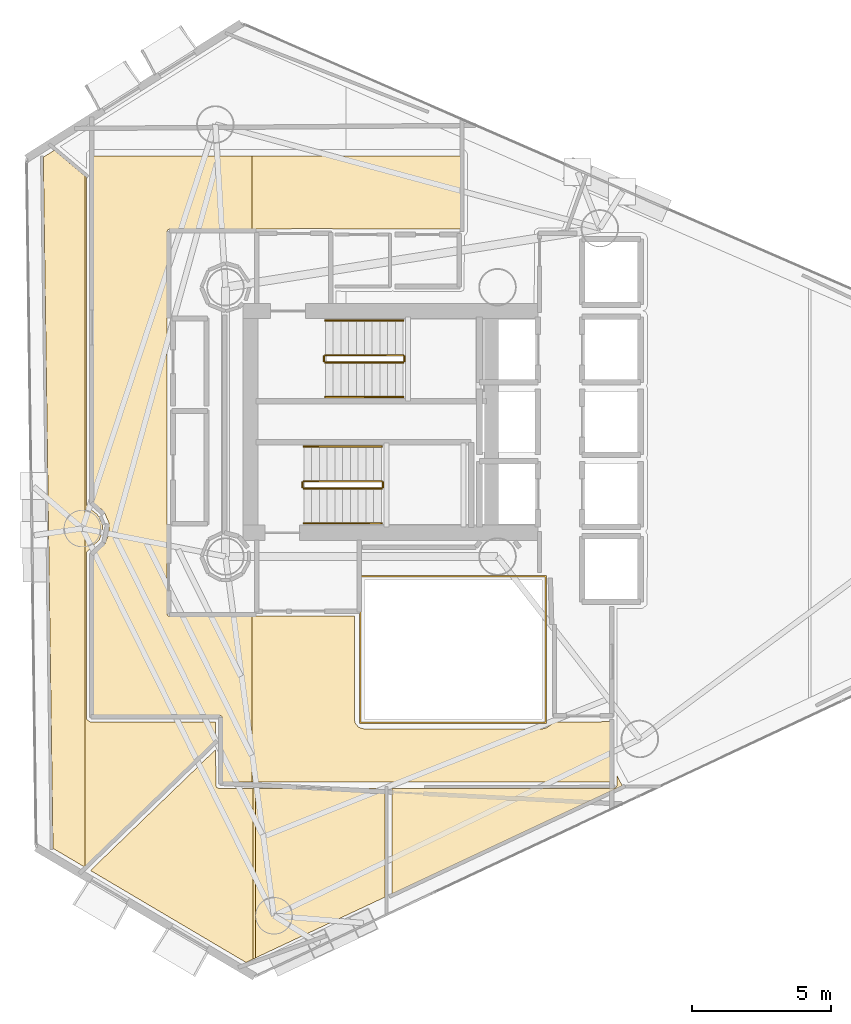
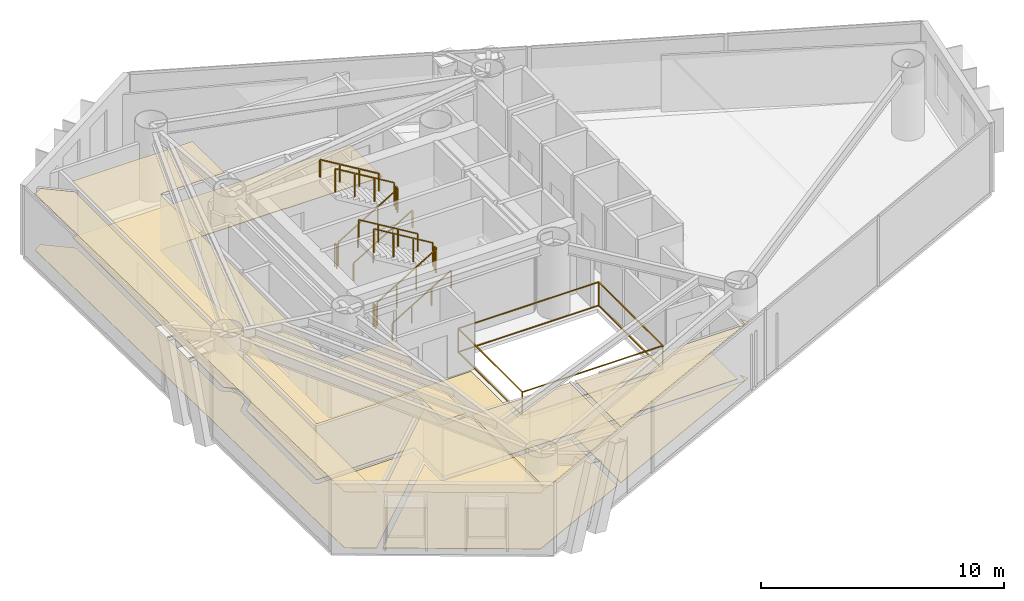
# One storey, part 19 of 20: 13 railings, 9 coverings.
"""IFC4 building model written with IfcOpenShell, lengths in metres."""

import ifcopenshell
import ifcopenshell.guid

model = None  # the IFC model being written
_history = None  # IfcOwnerHistory: only IFC2X3 demands one
_inside = {}  # id of a spatial element -> (the spatial element, [elements in it])
_under = {}  # id of a project, library or spatial element -> (it, [spatial elements below it])
_declared = {}  # id of a project -> (the project, [libraries it declares])
_typed = {}  # id of a type object -> (the type object, [elements of that type])
_made_of = {}  # id of a material, layer set ... -> (it, [elements and type objects made of it])


def new_model(schema):
    """Start an empty IFC model of exactly this schema.

    Asked for "IFC4X3", IfcOpenShell would pick the latest addendum, in which some entities
    have other attributes; the version numbers below select the first issue.
    IFC2X3 requires an IfcOwnerHistory on every rooted entity: one is made here for all.
    """
    global model, _history
    if schema == "IFC4X3":
        model = ifcopenshell.file(schema_version=(4, 3, 0, 0))
    else:
        model = ifcopenshell.file(schema=schema)
    _inside.clear()
    _under.clear()
    _declared.clear()
    _typed.clear()
    _made_of.clear()
    _history = None
    if model.schema == "IFC2X3":
        org = make("IfcOrganization", Name="unknown")
        user = make(
            "IfcPersonAndOrganization",
            ThePerson=make("IfcPerson", FamilyName="unknown"),
            TheOrganization=org,
        )
        app = make(
            "IfcApplication",
            ApplicationDeveloper=org,
            Version="unknown",
            ApplicationFullName="unknown",
            ApplicationIdentifier="unknown",
        )
        _history = make(
            "IfcOwnerHistory",
            OwningUser=user,
            OwningApplication=app,
            ChangeAction="ADDED",
            CreationDate=0,
        )
    return model


def make(cls, **values):
    """One entity of the class cls with the attributes given. An attribute that is None is left unset."""
    return model.create_entity(
        cls, **{name: value for name, value in values.items() if value is not None}
    )


def rooted(cls, **values):
    """An entity with a GlobalId (a new one), such as an element, a storey or a relation."""
    return make(cls, GlobalId=ifcopenshell.guid.new(), OwnerHistory=_history, **values)


def si_unit(unit_type, name, prefix=None):
    """IfcSIUnit, for example si_unit("LENGTHUNIT", "METRE", prefix="MILLI")."""
    return make("IfcSIUnit", UnitType=unit_type, Prefix=prefix, Name=name)


def assignment(units):
    """IfcUnitAssignment: the units of a project."""
    return None if units is None else make("IfcUnitAssignment", Units=units)


def point(xyz):
    """IfcCartesianPoint."""
    return None if xyz is None else make("IfcCartesianPoint", Coordinates=xyz)


def direction(xyz):
    """IfcDirection."""
    return None if xyz is None else make("IfcDirection", DirectionRatios=xyz)


def frame(location, z_axis=None, x_axis=None):
    """IfcAxis2Placement3D, a coordinate frame: its origin and axes. An axis left out is left unset."""
    return make(
        "IfcAxis2Placement3D",
        Location=point(location),
        Axis=direction(z_axis),
        RefDirection=direction(x_axis),
    )


def frame_2d(location, x_axis=None):
    """IfcAxis2Placement2D, a coordinate frame in the plane: its origin and x axis."""
    return make(
        "IfcAxis2Placement2D", Location=point(location), RefDirection=direction(x_axis)
    )


def origin():
    """The frame at (0, 0, 0) with its axes left unset."""
    return frame((0.0, 0.0, 0.0))


def origin_2d():
    """The frame at (0, 0) in the plane with its x axis left unset."""
    return frame_2d((0.0, 0.0))


def place(relative_to, where):
    """IfcLocalPlacement: puts the frame where relative to a parent placement (None: the world)."""
    return make(
        "IfcLocalPlacement", PlacementRelTo=relative_to, RelativePlacement=where
    )


def context(
    kind, dimensions, precision=None, world=None, true_north=None, identifier=None
):
    """IfcGeometricRepresentationContext, for example the 3D "Model" context."""
    return make(
        "IfcGeometricRepresentationContext",
        ContextIdentifier=identifier,
        ContextType=kind,
        CoordinateSpaceDimension=dimensions,
        Precision=precision,
        WorldCoordinateSystem=world,
        TrueNorth=true_north,
    )


def subcontext(parent, identifier, kind, view, scale=None):
    """IfcGeometricRepresentationSubContext, for example "Body" below "Model"."""
    return make(
        "IfcGeometricRepresentationSubContext",
        ContextIdentifier=identifier,
        ContextType=kind,
        ParentContext=parent,
        TargetScale=scale,
        TargetView=view,
    )


def project(units=None, contexts=None):
    """IfcProject with its units and contexts."""
    return rooted(
        "IfcProject",
        Name="project",
        RepresentationContexts=contexts,
        UnitsInContext=assignment(units),
    )


def spatial(cls, under=None, at=None, **own):
    """A site, building, storey or space (cls), placed at a placement, below another one or the project."""
    s = rooted(cls, ObjectPlacement=at, **own)
    if under is not None:
        _under.setdefault(under.id(), (under, []))[1].append(s)
    return s


def polyline(points):
    """IfcPolyline through the points."""
    return make("IfcPolyline", Points=[point(p) for p in points])


def profile(cls, at=None, kind="AREA", **sizes):
    """A parametric profile (cls). Its sizes go by their IFC names, for example OverallWidth=200.0."""
    return make(cls, ProfileType=kind, Position=at, **sizes)


def rectangle(**sizes):
    """IfcRectangleProfileDef."""
    return profile("IfcRectangleProfileDef", **sizes)


def outline(outer, holes=None, kind="AREA"):
    """IfcArbitraryClosedProfileDef: a profile drawn as a closed curve; with holes, ...WithVoids."""
    if holes is None:
        return make("IfcArbitraryClosedProfileDef", ProfileType=kind, OuterCurve=outer)
    return make(
        "IfcArbitraryProfileDefWithVoids",
        ProfileType=kind,
        OuterCurve=outer,
        InnerCurves=holes,
    )


def extrude(swept, where, along, depth):
    """IfcExtrudedAreaSolid: the profile swept, set in the frame where, extruded along a direction by depth."""
    return make(
        "IfcExtrudedAreaSolid",
        SweptArea=swept,
        Position=where,
        ExtrudedDirection=direction(along),
        Depth=depth,
    )


def shape(context_of_items, identifier, shape_type, items):
    """IfcShapeRepresentation: the items that make up one representation, for example the "Body"."""
    return make(
        "IfcShapeRepresentation",
        ContextOfItems=context_of_items,
        RepresentationIdentifier=identifier,
        RepresentationType=shape_type,
        Items=items,
    )


def material(Name=None, Category=None):
    """IfcMaterial."""
    return make("IfcMaterial", Name=Name, Category=Category)


def layer(
    of_material, thickness, ventilated=None, Name=None, Category=None, Priority=None
):
    """IfcMaterialLayer: one layer of a wall or slab, of a material (None: an air gap)."""
    return make(
        "IfcMaterialLayer",
        Material=of_material,
        LayerThickness=thickness,
        IsVentilated=ventilated,
        Name=Name,
        Category=Category,
        Priority=Priority,
    )


def layer_set(layers, Name=None):
    """IfcMaterialLayerSet."""
    return make("IfcMaterialLayerSet", MaterialLayers=layers, LayerSetName=Name)


def made_of(thing, what):
    """Note that an element or type object is made of a material, layer set ...; save() writes the relation."""
    if what is not None:
        _made_of.setdefault(what.id(), (what, []))[1].append(thing)
    return thing


def type_object(cls, material=None, **own):
    """A type object (cls), such as IfcWallType, which elements share."""
    return made_of(rooted(cls, **own), material)


def element(
    cls,
    number,
    at=None,
    inside=None,
    cuts=None,
    type_object=None,
    material=None,
    context=None,
    identifier="Body",
    shape_type=None,
    held_by="IfcProductDefinitionShape",
    body=None,
    shapes=None,
    **own,
):
    """One element of the class cls, such as IfcWall. Its Tag is "e" and its number.

    at: its placement. inside: the storey or other place that contains it. cuts: it is an
    opening in that element (IfcRelVoidsElement). A single representation is given by context,
    identifier, shape_type and body (its items); several are given by shapes. held_by: the class
    of the entity that holds the representations. save() writes the other relations.
    """
    e = rooted(cls, Tag="e%d" % number, ObjectPlacement=at, **own)
    if body is not None:
        shapes = [shape(context, identifier, shape_type, body)]
    if shapes is not None:
        e.Representation = make(held_by, Representations=shapes)
    if inside is not None:
        _inside.setdefault(inside.id(), (inside, []))[1].append(e)
    if cuts is not None:
        rooted(
            "IfcRelVoidsElement", RelatingBuildingElement=cuts, RelatedOpeningElement=e
        )
    if type_object is not None:
        _typed.setdefault(type_object.id(), (type_object, []))[1].append(e)
    return made_of(e, material)


def aggregate(whole, parts):
    """IfcRelAggregates: a whole, such as a stair, and the parts it consists of."""
    return rooted("IfcRelAggregates", RelatingObject=whole, RelatedObjects=parts)


def save(model, path):
    """Write the relations noted so far, then the file.

    IfcRelAggregates (storeys below a building ...), IfcRelContainedInSpatialStructure (elements
    in a storey), IfcRelDefinesByType, IfcRelAssociatesMaterial and IfcRelDeclares: one each for
    every whole, place, type object, material and project.
    """
    for whole, parts in _under.values():
        aggregate(whole, parts)
    for where, things in _inside.values():
        rooted(
            "IfcRelContainedInSpatialStructure",
            RelatedElements=things,
            RelatingStructure=where,
        )
    for kind, things in _typed.values():
        rooted("IfcRelDefinesByType", RelatedObjects=things, RelatingType=kind)
    for what, things in _made_of.values():
        rooted("IfcRelAssociatesMaterial", RelatedObjects=things, RelatingMaterial=what)
    for by, libraries in _declared.values():
        rooted("IfcRelDeclares", RelatingContext=by, RelatedDefinitions=libraries)
    model.write(path)


model = new_model("IFC4")

# Units and contexts
model_context = context("Model", 3, precision=1e-05, world=origin(), true_north=direction((0.0, 1.0)))
body_context = subcontext(model_context, "Body", "Model", "MODEL_VIEW")
ifc_project = project(units=[si_unit("LENGTHUNIT", "METRE"), si_unit("AREAUNIT", "SQUARE_METRE"), si_unit("VOLUMEUNIT", "CUBIC_METRE"), si_unit("PLANEANGLEUNIT", "RADIAN"), si_unit("MASSUNIT", "GRAM", prefix="KILO")], contexts=[model_context])

# Site, building, storey
site_placement = place(None, origin())
site = spatial("IfcSite", under=ifc_project, at=site_placement, CompositionType="ELEMENT")
building_placement = place(site_placement, origin())
building = spatial("IfcBuilding", under=site, at=building_placement, Name="Qianvela Tower", CompositionType="ELEMENT")
storey_placement = place(building_placement, frame((0.0, 0.0, 151.300048828125)))
storey = spatial("IfcBuildingStorey", under=building, at=storey_placement, Name="L38", CompositionType="ELEMENT", Elevation=151.300048828125)

# Coverings
ifc_material_1 = material(Name="Perforated Mineral Acoustic Ceiling Tile")
ifc_layer_1 = layer(ifc_material_1, 0.02490234375)
ifc_layer_set_1 = layer_set([ifc_layer_1], Name="Perforated Mineral Acoustic Ceiling Tile")
covering_type_1 = type_object("IfcCoveringType", Name="COV-CEIL-ACOUSTIC-25", PredefinedType="CEILING", material=ifc_layer_set_1)
covering_1_placement = place(storey_placement, frame((0.0, 0.0, 2.81494140625)))
element("IfcCovering", 1, at=covering_1_placement, inside=storey, type_object=covering_type_1, Name="L38 Acoustic Ceiling Bay 1 L38 Floor Corridor", PredefinedType="CEILING", context=body_context, shape_type="SweptSolid", body=[
    extrude(outline(polyline([(24.4033203125, 25.04150390625), (24.40234375, 25.04931640625), (24.400390625, 25.056884765625), (24.397705078125, 25.064208984375), (24.26416015625, 25.386962890625), (24.2607421875, 25.393798828125), (24.256591796875, 25.400634765625), (24.251953125, 25.406982421875), (24.140625, 25.54248046875), (24.135498046875, 25.54833984375), (24.129638671875, 25.5537109375), (23.830078125, 25.799560546875), (23.830078125, 38.27001953125), (29.55615234375, 38.27001953125), (29.55615234375, 35.651123046875), (26.57958984375, 35.639892578125), (26.572021484375, 35.6396484375), (26.564208984375, 35.638427734375), (26.556396484375, 35.636474609375), (26.54931640625, 35.6337890625), (26.5419921875, 35.630615234375), (26.535400390625, 35.62646484375), (26.529052734375, 35.62158203125), (26.523193359375, 35.616455078125), (26.51806640625, 35.610595703125), (26.513427734375, 35.6044921875), (26.509521484375, 35.59765625), (26.506103515625, 35.590576171875), (26.50341796875, 35.583251953125), (26.50146484375, 35.57568359375), (26.50048828125, 35.56787109375), (26.5, 35.56005859375), (26.5, 21.780029296875), (26.50048828125, 21.772216796875), (26.50146484375, 21.764404296875), (26.50341796875, 21.7568359375), (26.506103515625, 21.74951171875), (26.509521484375, 21.7421875), (26.513427734375, 21.735595703125), (26.518310546875, 21.729248046875), (26.5234375, 21.723388671875), (26.529296875, 21.71826171875), (26.53564453125, 21.71337890625), (26.542236328125, 21.70947265625), (26.54931640625, 21.7060546875), (26.556884765625, 21.703369140625), (26.564453125, 21.701416015625), (26.572265625, 21.700439453125), (26.580078125, 21.699951171875), (29.55615234375, 21.699951171875), (29.55615234375, 15.72998046875), (28.47998046875, 15.72998046875), (28.47998046875, 18.050048828125), (28.4794921875, 18.057861328125), (28.478515625, 18.065673828125), (28.4765625, 18.0732421875), (28.473876953125, 18.08056640625), (28.470703125, 18.087646484375), (28.466552734375, 18.094482421875), (28.4619140625, 18.100830078125), (28.45654296875, 18.106689453125), (28.45068359375, 18.11181640625), (28.4443359375, 18.116455078125), (28.437744140625, 18.12060546875), (28.4306640625, 18.123779296875), (28.423095703125, 18.126708984375), (28.41552734375, 18.12841796875), (28.40771484375, 18.129638671875), (28.39990234375, 18.1298828125), (23.830078125, 18.1298828125), (23.830078125, 23.921142578125), (24.244384765625, 24.302978515625), (24.25048828125, 24.30908203125), (24.255859375, 24.31591796875), (24.26025390625, 24.3232421875), (24.26416015625, 24.3310546875), (24.397705078125, 24.65380859375), (24.400390625, 24.6611328125), (24.40234375, 24.668701171875), (24.4033203125, 24.676513671875), (24.40380859375, 24.684326171875), (24.40380859375, 25.03369140625), (24.4033203125, 25.04150390625)])), origin(), (0.0, 0.0, 1.0), 0.02490234375),
])
covering_2_placement = place(storey_placement, frame((0.0, 0.0, 2.81494140625)))
element("IfcCovering", 2, at=covering_2_placement, inside=storey, type_object=covering_type_1, Name="L38 Acoustic Ceiling Bay 1 Panoramic Study Lounge L38-01", PredefinedType="CEILING", context=body_context, shape_type="SweptSolid", body=[
    extrude(outline(polyline([(22.43359375, 38.48291015625), (23.541015625, 37.5537109375), (23.541015625, 12.689453125), (23.51953125, 12.668701171875), (22.385986328125, 13.338623046875), (22.038330078125, 38.234375), (22.43359375, 38.48291015625)])), origin(), (0.0, 0.0, 1.0), 0.02490234375),
])
covering_3_placement = place(storey_placement, frame((0.0, 0.0, 2.81494140625)))
element("IfcCovering", 3, at=covering_3_placement, inside=storey, type_object=covering_type_1, Name="L38 Acoustic Ceiling Bay 1 Social Sitting Lounge L38-02", PredefinedType="CEILING", context=body_context, shape_type="SweptSolid", body=[
    extrude(outline(polyline([(28.25830078125, 15.598388671875), (28.258544921875, 15.590576171875), (28.260009765625, 15.5830078125), (28.26171875, 15.5751953125), (28.264404296875, 15.568115234375), (28.267822265625, 15.56103515625), (28.27197265625, 15.554443359375), (28.276611328125, 15.548095703125), (28.28173828125, 15.54248046875), (28.28759765625, 15.537353515625), (28.293701171875, 15.53271484375), (28.30029296875, 15.52880859375), (28.3544921875, 15.499755859375), (28.361572265625, 15.49658203125), (28.368896484375, 15.493896484375), (28.376708984375, 15.491943359375), (28.38427734375, 15.49072265625), (28.39208984375, 15.490478515625), (29.597412109375, 15.490478515625), (29.597412109375, 9.3525390625), (29.3369140625, 9.230224609375), (23.7373046875, 12.5400390625), (28.2421875, 16.890380859375), (28.25830078125, 15.598388671875)])), origin(), (0.0, 0.0, 1.0), 0.02490234375),
])
covering_4_placement = place(storey_placement, frame((0.0, 0.0, 2.81494140625)))
element("IfcCovering", 4, at=covering_4_placement, inside=storey, type_object=covering_type_1, Name="L38 Acoustic Ceiling Bay 2 Social Sitting Lounge L38-02", PredefinedType="CEILING", context=body_context, shape_type="SweptSolid", body=[
    extrude(outline(polyline([(34.346923828125, 15.490234375), (34.346923828125, 11.582763671875), (29.677490234375, 9.39013671875), (29.677490234375, 15.490478515625), (34.346923828125, 15.490234375)])), origin(), (0.0, 0.0, 1.0), 0.02490234375),
])
covering_5_placement = place(storey_placement, frame((0.0, 0.0, 2.81494140625)))
element("IfcCovering", 5, at=covering_5_placement, inside=storey, type_object=covering_type_1, Name="L38 Acoustic Ceiling Campus Convenience Shop L38-03", PredefinedType="CEILING", context=body_context, shape_type="SweptSolid", body=[
    extrude(outline(polyline([(42.63720703125, 15.51953125), (42.644775390625, 15.523193359375), (42.65185546875, 15.527587890625), (42.65869140625, 15.53271484375), (42.664794921875, 15.53857421875), (42.670166015625, 15.544921875), (42.6748046875, 15.5517578125), (42.678955078125, 15.55908203125), (42.701904296875, 15.60791015625), (42.705322265625, 15.6162109375), (42.707763671875, 15.62451171875), (42.708984375, 15.63330078125), (42.709716796875, 15.64208984375), (42.709716796875, 15.94189453125), (42.893798828125, 15.595947265625), (34.5908203125, 11.697509765625), (34.5908203125, 15.490234375), (42.550048828125, 15.489990234375), (42.557861328125, 15.490478515625), (42.565673828125, 15.491455078125), (42.5732421875, 15.493408203125), (42.58056640625, 15.49609375), (42.63720703125, 15.51953125)])), origin(), (0.0, 0.0, 1.0), 0.02490234375),
])
ifc_material_2 = material(Name="Engineered Acoustic Oak Timber Flooring", Category="wood")
ifc_layer_2 = layer(ifc_material_2, 0.02001953125)
ifc_layer_set_2 = layer_set([ifc_layer_2], Name="Engineered Acoustic Oak Timber Flooring")
covering_type_2 = type_object("IfcCoveringType", Name="COV-FLOOR-OAK-20", PredefinedType="FLOORING", material=ifc_layer_set_2)
covering_6_placement = place(storey_placement, origin())
element("IfcCovering", 6, at=covering_6_placement, inside=storey, type_object=covering_type_2, Name="L38 Finish Flooring Panoramic Study Lounge L38-01", PredefinedType="FLOORING", context=body_context, shape_type="SweptSolid", body=[
    extrude(outline(polyline([(22.038330078125, 38.234375), (22.43359375, 38.48291015625), (23.590087890625, 37.5126953125), (23.590087890625, 25.76171875), (23.59033203125, 25.75390625), (23.591552734375, 25.74609375), (23.593505859375, 25.738525390625), (23.59619140625, 25.731201171875), (23.619384765625, 25.674560546875), (23.622802734375, 25.66748046875), (23.626953125, 25.660888671875), (23.631591796875, 25.654541015625), (23.63671875, 25.648681640625), (23.642578125, 25.643310546875), (23.965087890625, 25.378173828125), (24.051513671875, 25.273193359375), (24.163818359375, 25.001708984375), (24.163818359375, 24.71630859375), (24.055419921875, 24.454345703125), (23.614501953125, 24.021484375), (23.60888671875, 24.015869140625), (23.604248046875, 24.009521484375), (23.60009765625, 24.002685546875), (23.5966796875, 23.995361328125), (23.593994140625, 23.988037109375), (23.592041015625, 23.980224609375), (23.5908203125, 23.972412109375), (23.59033203125, 23.964599609375), (23.593505859375, 18.026611328125), (23.593994140625, 18.0185546875), (23.59521484375, 18.01025390625), (23.597412109375, 18.002197265625), (23.60009765625, 17.994384765625), (23.60400390625, 17.987060546875), (23.6083984375, 17.980224609375), (23.613525390625, 17.9736328125), (23.619384765625, 17.9677734375), (23.625732421875, 17.96240234375), (23.702392578125, 17.90576171875), (23.70849609375, 17.901611328125), (23.71484375, 17.898193359375), (23.721435546875, 17.895263671875), (23.728515625, 17.89306640625), (23.735595703125, 17.891357421875), (23.74267578125, 17.890380859375), (23.75, 17.889892578125), (28.239990234375, 17.889892578125), (28.239990234375, 17.227294921875), (23.51953125, 12.668701171875), (22.385986328125, 13.338623046875), (22.038330078125, 38.234375)])), origin(), (0.0, 0.0, 1.0), 0.02001953125),
])
covering_7_placement = place(storey_placement, origin())
element("IfcCovering", 7, at=covering_7_placement, inside=storey, type_object=covering_type_2, Name="L38 Finish Flooring Social Sitting Lounge L38-02", PredefinedType="FLOORING", context=body_context, shape_type="SweptSolid", body=[
    extrude(outline(polyline([(28.2421875, 16.890380859375), (28.25830078125, 15.598388671875), (28.258544921875, 15.590576171875), (28.260009765625, 15.5830078125), (28.26171875, 15.5751953125), (28.264404296875, 15.568115234375), (28.267822265625, 15.56103515625), (28.27197265625, 15.554443359375), (28.276611328125, 15.548095703125), (28.28173828125, 15.54248046875), (28.28759765625, 15.537353515625), (28.293701171875, 15.53271484375), (28.30029296875, 15.52880859375), (28.3544921875, 15.499755859375), (28.361572265625, 15.49658203125), (28.368896484375, 15.493896484375), (28.376708984375, 15.491943359375), (28.38427734375, 15.49072265625), (28.39208984375, 15.490478515625), (34.346923828125, 15.490234375), (34.346923828125, 11.582763671875), (29.3369140625, 9.230224609375), (23.7373046875, 12.5400390625), (28.2421875, 16.890380859375)])), origin(), (0.0, 0.0, 1.0), 0.02001953125),
])
covering_8_placement = place(storey_placement, origin())
element("IfcCovering", 8, at=covering_8_placement, inside=storey, type_object=covering_type_2, Name="L38 Finish Flooring Campus Convenience Shop L38-03", PredefinedType="FLOORING", context=body_context, shape_type="SweptSolid", body=[
    extrude(outline(polyline([(42.63720703125, 15.51953125), (42.644775390625, 15.523193359375), (42.65185546875, 15.527587890625), (42.65869140625, 15.53271484375), (42.664794921875, 15.53857421875), (42.670166015625, 15.544921875), (42.6748046875, 15.5517578125), (42.678955078125, 15.55908203125), (42.701904296875, 15.60791015625), (42.705322265625, 15.6162109375), (42.707763671875, 15.62451171875), (42.708984375, 15.63330078125), (42.709716796875, 15.64208984375), (42.709716796875, 15.94189453125), (42.893798828125, 15.595947265625), (34.5908203125, 11.697509765625), (34.5908203125, 15.490234375), (42.550048828125, 15.489990234375), (42.557861328125, 15.490478515625), (42.565673828125, 15.491455078125), (42.5732421875, 15.493408203125), (42.58056640625, 15.49609375), (42.63720703125, 15.51953125)])), origin(), (0.0, 0.0, 1.0), 0.02001953125),
])
ifc_material_3 = material(Name="Honed Stone Terrazzo Flooring", Category="masonry")
ifc_layer_3 = layer(ifc_material_3, 0.030029296875)
ifc_layer_set_3 = layer_set([ifc_layer_3], Name="Honed Stone Terrazzo Flooring")
covering_type_3 = type_object("IfcCoveringType", Name="COV-FLOOR-TERRAZZO-30", PredefinedType="FLOORING", material=ifc_layer_set_3)
covering_9_placement = place(storey_placement, origin())
element("IfcCovering", 9, at=covering_9_placement, inside=storey, type_object=covering_type_3, Name="L38 Finish Flooring L38 Floor Corridor", PredefinedType="FLOORING", context=body_context, shape_type="SweptSolid", body=[
    extrude(outline(polyline([(24.40380859375, 25.03369140625), (24.4033203125, 25.04150390625), (24.40234375, 25.04931640625), (24.400390625, 25.056884765625), (24.397705078125, 25.064208984375), (24.26416015625, 25.386962890625), (24.2607421875, 25.393798828125), (24.256591796875, 25.400634765625), (24.251953125, 25.406982421875), (24.140625, 25.54248046875), (24.135498046875, 25.54833984375), (24.129638671875, 25.5537109375), (23.830078125, 25.799560546875), (23.830078125, 38.27001953125), (37.070068359375, 38.27001953125), (37.070068359375, 35.639892578125), (32.5244140625, 35.639892578125), (32.43798828125, 35.659912109375), (32.428955078125, 35.66162109375), (32.419677734375, 35.662109375), (26.57958984375, 35.639892578125), (26.572021484375, 35.6396484375), (26.564208984375, 35.638427734375), (26.556396484375, 35.636474609375), (26.54931640625, 35.6337890625), (26.5419921875, 35.630615234375), (26.535400390625, 35.62646484375), (26.529052734375, 35.62158203125), (26.523193359375, 35.616455078125), (26.51806640625, 35.610595703125), (26.513427734375, 35.6044921875), (26.509521484375, 35.59765625), (26.506103515625, 35.590576171875), (26.50341796875, 35.583251953125), (26.50146484375, 35.57568359375), (26.50048828125, 35.56787109375), (26.5, 35.56005859375), (26.5, 21.780029296875), (26.50048828125, 21.772216796875), (26.50146484375, 21.764404296875), (26.50341796875, 21.7568359375), (26.506103515625, 21.74951171875), (26.509521484375, 21.7421875), (26.513427734375, 21.735595703125), (26.518310546875, 21.729248046875), (26.5234375, 21.723388671875), (26.529296875, 21.71826171875), (26.53564453125, 21.71337890625), (26.542236328125, 21.70947265625), (26.54931640625, 21.7060546875), (26.556884765625, 21.703369140625), (26.564453125, 21.701416015625), (26.572265625, 21.700439453125), (26.580078125, 21.699951171875), (33.239990234375, 21.699951171875), (33.239990234375, 18.0), (33.240478515625, 17.990234375), (33.242431640625, 17.980712890625), (33.275390625, 17.8486328125), (33.277587890625, 17.841064453125), (33.28076171875, 17.833740234375), (33.284423828125, 17.826904296875), (33.288818359375, 17.8203125), (33.293701171875, 17.814208984375), (33.38525390625, 17.71337890625), (33.391357421875, 17.70751953125), (33.398193359375, 17.701904296875), (33.405517578125, 17.697509765625), (33.4130859375, 17.693603515625), (33.421142578125, 17.690673828125), (33.576904296875, 17.643310546875), (33.58447265625, 17.6416015625), (33.59228515625, 17.640380859375), (33.60009765625, 17.639892578125), (40.0, 17.639892578125), (40.006591796875, 17.640380859375), (40.012939453125, 17.64111328125), (40.019287109375, 17.642333984375), (40.1513671875, 17.675537109375), (40.15869140625, 17.677734375), (40.166015625, 17.6806640625), (40.172607421875, 17.68408203125), (40.17919921875, 17.6884765625), (40.45947265625, 17.89306640625), (42.469970703125, 17.899658203125), (42.469970703125, 15.72998046875), (28.47998046875, 15.72998046875), (28.47998046875, 18.050048828125), (28.4794921875, 18.057861328125), (28.478515625, 18.065673828125), (28.4765625, 18.0732421875), (28.473876953125, 18.08056640625), (28.470703125, 18.087646484375), (28.466552734375, 18.094482421875), (28.4619140625, 18.100830078125), (28.45654296875, 18.106689453125), (28.45068359375, 18.11181640625), (28.4443359375, 18.116455078125), (28.437744140625, 18.12060546875), (28.4306640625, 18.123779296875), (28.423095703125, 18.126708984375), (28.41552734375, 18.12841796875), (28.40771484375, 18.129638671875), (28.39990234375, 18.1298828125), (23.830078125, 18.1298828125), (23.830078125, 23.921142578125), (24.244384765625, 24.302978515625), (24.25048828125, 24.30908203125), (24.255859375, 24.31591796875), (24.26025390625, 24.3232421875), (24.26416015625, 24.3310546875), (24.397705078125, 24.65380859375), (24.400390625, 24.6611328125), (24.40234375, 24.668701171875), (24.4033203125, 24.676513671875), (24.40380859375, 24.684326171875), (24.40380859375, 25.03369140625)])), origin(), (0.0, 0.0, 1.0), 0.030029296875),
])

# Railings
ifc_material_4 = material(Name="Laminated Safety Glass and Stainless Steel 316", Category="steel")
railing_type_1 = type_object("IfcRailingType", Name="RL-ATRIUM-GUARD-1250", PredefinedType="GUARDRAIL", material=ifc_material_4)
railing_1_placement = place(storey_placement, frame((33.4599609375, 17.860107421875, 0.0)))
element("IfcRailing", 10, at=railing_1_placement, inside=storey, type_object=railing_type_1, Name="L38 Atrium Edge Guardrail 1", PredefinedType="GUARDRAIL", context=body_context, shape_type="SweptSolid", body=[
    extrude(rectangle(XDim=0.050048828125, YDim=0.0400390625, at=origin_2d()), frame((0.0, 0.0, 1.22998046875), z_axis=(0.0, 1.0, 0.0), x_axis=(-1.0, 0.0, 0.0)), (0.0, 0.0, 1.0), 5.27978515625),
    extrude(rectangle(XDim=0.050048828125, YDim=0.0400390625, at=origin_2d()), frame((0.0, 0.0, 0.050048828125), z_axis=(0.0, 1.0, 0.0), x_axis=(-1.0, 0.0, 0.0)), (0.0, 0.0, 1.0), 5.27978515625),
    extrude(rectangle(XDim=0.050048828125, YDim=0.0400390625, at=origin_2d()), frame((0.0, 5.27978515625, 1.22998046875), z_axis=(1.0, 0.0, 0.0), x_axis=(0.0, 1.0, 0.0)), (0.0, 0.0, 1.0), 6.679931640625),
    extrude(rectangle(XDim=0.050048828125, YDim=0.0400390625, at=origin_2d()), frame((0.0, 5.27978515625, 0.050048828125), z_axis=(1.0, 0.0, 0.0), x_axis=(0.0, 1.0, 0.0)), (0.0, 0.0, 1.0), 6.679931640625),
    extrude(rectangle(XDim=0.050048828125, YDim=0.0400390625, at=origin_2d()), frame((6.679931640625, 5.27978515625, 1.22998046875), z_axis=(0.0, -1.0, 0.0), x_axis=(1.0, 0.0, 0.0)), (0.0, 0.0, 1.0), 5.27978515625),
    extrude(rectangle(XDim=0.050048828125, YDim=0.0400390625, at=origin_2d()), frame((6.679931640625, 5.27978515625, 0.050048828125), z_axis=(0.0, -1.0, 0.0), x_axis=(1.0, 0.0, 0.0)), (0.0, 0.0, 1.0), 5.27978515625),
    extrude(rectangle(XDim=0.050048828125, YDim=0.0400390625, at=origin_2d()), frame((6.679931640625, 0.0, 1.22998046875), z_axis=(-1.0, 0.0, 0.0), x_axis=(0.0, -1.0, 0.0)), (0.0, 0.0, 1.0), 6.679931640625),
    extrude(rectangle(XDim=0.050048828125, YDim=0.0400390625, at=origin_2d()), frame((6.679931640625, 0.0, 0.050048828125), z_axis=(-1.0, 0.0, 0.0), x_axis=(0.0, -1.0, 0.0)), (0.0, 0.0, 1.0), 6.679931640625),
    extrude(rectangle(XDim=0.050048828125, YDim=0.050048828125, at=origin_2d()), origin(), (0.0, 0.0, 1.0), 1.2099609375),
    extrude(rectangle(XDim=0.050048828125, YDim=0.050048828125, at=origin_2d()), frame((0.0, 5.27978515625, 0.0)), (0.0, 0.0, 1.0), 1.2099609375),
    extrude(rectangle(XDim=0.050048828125, YDim=0.050048828125, at=origin_2d()), frame((6.679931640625, 5.27978515625, 0.0)), (0.0, 0.0, 1.0), 1.2099609375),
    extrude(rectangle(XDim=0.050048828125, YDim=0.050048828125, at=origin_2d()), frame((6.679931640625, 0.0, 0.0)), (0.0, 0.0, 1.0), 1.2099609375),
])
ifc_material_5 = material(Name="Painted Tubular Steel Q355B", Category="steel")
railing_type_2 = type_object("IfcRailingType", Name="RL-STAIR-GUARD-1200", PredefinedType="GUARDRAIL", material=ifc_material_5)
railing_2_placement = place(storey_placement, frame((32.199951171875, 30.840087890625, 0.168212890625)))
element("IfcRailing", 11, at=railing_2_placement, inside=storey, type_object=railing_type_2, Name="L38 ST-1 stair guard 1", PredefinedType="GUARDRAIL", context=body_context, shape_type="SweptSolid", body=[
    extrude(rectangle(XDim=0.050048828125, YDim=0.0400390625, at=origin_2d()), frame((0.0, 0.0, 1.179931640625), z_axis=(0.857275202839, 0.0, 0.514858452973), x_axis=(0.0, 1.0, 0.0)), (0.0, 0.0, 1.0), 3.26611328125),
    extrude(rectangle(XDim=0.050048828125, YDim=0.050048828125, at=origin_2d()), origin(), (0.0, 0.0, 1.0), 1.159912109375),
    extrude(rectangle(XDim=0.050048828125, YDim=0.050048828125, at=origin_2d()), frame((0.933349609375, 0.0, 0.560546875)), (0.0, 0.0, 1.0), 1.159912109375),
    extrude(rectangle(XDim=0.050048828125, YDim=0.050048828125, at=origin_2d()), frame((1.86669921875, 0.0, 1.12109375)), (0.0, 0.0, 1.0), 1.159912109375),
    extrude(rectangle(XDim=0.050048828125, YDim=0.050048828125, at=origin_2d()), frame((2.800048828125, 0.0, 1.681640625)), (0.0, 0.0, 1.0), 1.159912109375),
])
railing_3_placement = place(storey_placement, frame((35.050048828125, 30.889892578125, 1.849853515625)))
element("IfcRailing", 12, at=railing_3_placement, inside=storey, type_object=railing_type_2, Name="L38 ST-1 stair guard 2", PredefinedType="GUARDRAIL", context=body_context, shape_type="SweptSolid", body=[
    extrude(rectangle(XDim=0.050048828125, YDim=0.0400390625, at=origin_2d()), frame((0.0, 0.0, 1.179931640625), z_axis=(0.0, 1.0, 0.0), x_axis=(-1.0, 0.0, 0.0)), (0.0, 0.0, 1.0), 0.16015625),
    extrude(rectangle(XDim=0.050048828125, YDim=0.050048828125, at=origin_2d()), origin(), (0.0, 0.0, 1.0), 1.159912109375),
    extrude(rectangle(XDim=0.050048828125, YDim=0.050048828125, at=origin_2d()), frame((0.0, 0.16015625, 0.0)), (0.0, 0.0, 1.0), 1.159912109375),
])
railing_4_placement = place(storey_placement, frame((35.0, 31.10009765625, 2.01806640625)))
element("IfcRailing", 13, at=railing_4_placement, inside=storey, type_object=railing_type_2, Name="L38 ST-1 stair guard 3", PredefinedType="GUARDRAIL", context=body_context, shape_type="SweptSolid", body=[
    extrude(rectangle(XDim=0.050048828125, YDim=0.0400390625, at=origin_2d()), frame((0.0, 0.0, 1.179931640625), z_axis=(-0.857242210791, 0.0, 0.514913383045), x_axis=(0.0, -1.0, 0.0)), (0.0, 0.0, 1.0), 3.266357421875),
    extrude(rectangle(XDim=0.050048828125, YDim=0.050048828125, at=origin_2d()), origin(), (0.0, 0.0, 1.0), 1.159912109375),
    extrude(rectangle(XDim=0.050048828125, YDim=0.050048828125, at=origin_2d()), frame((-0.933349609375, 0.0, 0.560546875)), (0.0, 0.0, 1.0), 1.159912109375),
    extrude(rectangle(XDim=0.050048828125, YDim=0.050048828125, at=origin_2d()), frame((-1.86669921875, 0.0, 1.121337890625)), (0.0, 0.0, 1.0), 1.159912109375),
    extrude(rectangle(XDim=0.050048828125, YDim=0.050048828125, at=origin_2d()), frame((-2.800048828125, 0.0, 1.681884765625)), (0.0, 0.0, 1.0), 1.159912109375),
])
railing_5_placement = place(storey_placement, frame((32.14990234375, 30.889892578125, 0.0)))
element("IfcRailing", 14, at=railing_5_placement, inside=storey, type_object=railing_type_2, Name="L38 ST-1 stair guard 4", PredefinedType="GUARDRAIL", context=body_context, shape_type="SweptSolid", body=[
    extrude(rectangle(XDim=0.050048828125, YDim=0.0400390625, at=origin_2d()), frame((0.0, 0.0, 1.179931640625), z_axis=(0.0, 1.0, 0.0), x_axis=(-1.0, 0.0, 0.0)), (0.0, 0.0, 1.0), 0.16015625),
    extrude(rectangle(XDim=0.050048828125, YDim=0.050048828125, at=origin_2d()), origin(), (0.0, 0.0, 1.0), 1.159912109375),
    extrude(rectangle(XDim=0.050048828125, YDim=0.050048828125, at=origin_2d()), frame((0.0, 0.16015625, 0.0)), (0.0, 0.0, 1.0), 1.159912109375),
])
railing_6_placement = place(storey_placement, frame((31.419921875, 26.300048828125, 0.168212890625)))
element("IfcRailing", 15, at=railing_6_placement, inside=storey, type_object=railing_type_2, Name="L38 ST-2 stair guard 1", PredefinedType="GUARDRAIL", context=body_context, shape_type="SweptSolid", body=[
    extrude(rectangle(XDim=0.050048828125, YDim=0.0400390625, at=origin_2d()), frame((0.0, 0.0, 1.179931640625), z_axis=(0.857275202839, 0.0, 0.514858452973), x_axis=(0.0, 1.0, 0.0)), (0.0, 0.0, 1.0), 3.26611328125),
    extrude(rectangle(XDim=0.050048828125, YDim=0.050048828125, at=origin_2d()), origin(), (0.0, 0.0, 1.0), 1.159912109375),
    extrude(rectangle(XDim=0.050048828125, YDim=0.050048828125, at=origin_2d()), frame((0.933349609375, 0.0, 0.560546875)), (0.0, 0.0, 1.0), 1.159912109375),
    extrude(rectangle(XDim=0.050048828125, YDim=0.050048828125, at=origin_2d()), frame((1.86669921875, 0.0, 1.12109375)), (0.0, 0.0, 1.0), 1.159912109375),
    extrude(rectangle(XDim=0.050048828125, YDim=0.050048828125, at=origin_2d()), frame((2.800048828125, 0.0, 1.681640625)), (0.0, 0.0, 1.0), 1.159912109375),
])
railing_7_placement = place(storey_placement, frame((34.27001953125, 26.35009765625, 1.849853515625)))
element("IfcRailing", 16, at=railing_7_placement, inside=storey, type_object=railing_type_2, Name="L38 ST-2 stair guard 2", PredefinedType="GUARDRAIL", context=body_context, shape_type="SweptSolid", body=[
    extrude(rectangle(XDim=0.050048828125, YDim=0.0400390625, at=origin_2d()), frame((0.0, 0.0, 1.179931640625), z_axis=(0.0, 1.0, 0.0), x_axis=(-1.0, 0.0, 0.0)), (0.0, 0.0, 1.0), 0.159912109375),
    extrude(rectangle(XDim=0.050048828125, YDim=0.050048828125, at=origin_2d()), origin(), (0.0, 0.0, 1.0), 1.159912109375),
    extrude(rectangle(XDim=0.050048828125, YDim=0.050048828125, at=origin_2d()), frame((0.0, 0.159912109375, 0.0)), (0.0, 0.0, 1.0), 1.159912109375),
])
railing_8_placement = place(storey_placement, frame((34.219970703125, 26.56005859375, 2.01806640625)))
element("IfcRailing", 17, at=railing_8_placement, inside=storey, type_object=railing_type_2, Name="L38 ST-2 stair guard 3", PredefinedType="GUARDRAIL", context=body_context, shape_type="SweptSolid", body=[
    extrude(rectangle(XDim=0.050048828125, YDim=0.0400390625, at=origin_2d()), frame((0.0, 0.0, 1.179931640625), z_axis=(-0.857242210791, 0.0, 0.514913383045), x_axis=(0.0, -1.0, 0.0)), (0.0, 0.0, 1.0), 3.266357421875),
    extrude(rectangle(XDim=0.050048828125, YDim=0.050048828125, at=origin_2d()), origin(), (0.0, 0.0, 1.0), 1.159912109375),
    extrude(rectangle(XDim=0.050048828125, YDim=0.050048828125, at=origin_2d()), frame((-0.933349609375, 0.0, 0.560546875)), (0.0, 0.0, 1.0), 1.159912109375),
    extrude(rectangle(XDim=0.050048828125, YDim=0.050048828125, at=origin_2d()), frame((-1.86669921875, 0.0, 1.121337890625)), (0.0, 0.0, 1.0), 1.159912109375),
    extrude(rectangle(XDim=0.050048828125, YDim=0.050048828125, at=origin_2d()), frame((-2.800048828125, 0.0, 1.681884765625)), (0.0, 0.0, 1.0), 1.159912109375),
])
railing_9_placement = place(storey_placement, frame((31.3701171875, 26.35009765625, 0.0)))
element("IfcRailing", 18, at=railing_9_placement, inside=storey, type_object=railing_type_2, Name="L38 ST-2 stair guard 4", PredefinedType="GUARDRAIL", context=body_context, shape_type="SweptSolid", body=[
    extrude(rectangle(XDim=0.050048828125, YDim=0.0400390625, at=origin_2d()), frame((0.0, 0.0, 1.179931640625), z_axis=(0.0, 1.0, 0.0), x_axis=(-1.0, 0.0, 0.0)), (0.0, 0.0, 1.0), 0.159912109375),
    extrude(rectangle(XDim=0.050048828125, YDim=0.050048828125, at=origin_2d()), origin(), (0.0, 0.0, 1.0), 1.159912109375),
    extrude(rectangle(XDim=0.050048828125, YDim=0.050048828125, at=origin_2d()), frame((0.0, 0.159912109375, 0.0)), (0.0, 0.0, 1.0), 1.159912109375),
])
ifc_material_6 = material(Name="Brushed Stainless Steel 304", Category="steel")
railing_type_3 = type_object("IfcRailingType", Name="RL-STAIR-HANDRAIL-900", PredefinedType="HANDRAIL", material=ifc_material_6)
railing_10_placement = place(storey_placement, frame((32.199951171875, 29.590087890625, 0.168212890625)))
element("IfcRailing", 19, at=railing_10_placement, inside=storey, type_object=railing_type_3, Name="L38 ST-1 stair handrail 1", PredefinedType="HANDRAIL", context=body_context, shape_type="SweptSolid", body=[
    extrude(rectangle(XDim=0.050048828125, YDim=0.0400390625, at=origin_2d()), frame((0.0, 0.0, 0.8798828125), z_axis=(0.857275202839, 0.0, 0.514858452973), x_axis=(0.0, 1.0, 0.0)), (0.0, 0.0, 1.0), 3.26611328125),
    extrude(rectangle(XDim=0.050048828125, YDim=0.050048828125, at=origin_2d()), origin(), (0.0, 0.0, 1.0), 0.85986328125),
    extrude(rectangle(XDim=0.050048828125, YDim=0.050048828125, at=origin_2d()), frame((0.933349609375, 0.0, 0.560546875)), (0.0, 0.0, 1.0), 0.85986328125),
    extrude(rectangle(XDim=0.050048828125, YDim=0.050048828125, at=origin_2d()), frame((1.86669921875, 0.0, 1.12109375)), (0.0, 0.0, 1.0), 0.85986328125),
    extrude(rectangle(XDim=0.050048828125, YDim=0.050048828125, at=origin_2d()), frame((2.800048828125, 0.0, 1.681640625)), (0.0, 0.0, 1.0), 0.85986328125),
])
railing_11_placement = place(storey_placement, frame((35.0, 32.35009765625, 2.01806640625)))
element("IfcRailing", 20, at=railing_11_placement, inside=storey, type_object=railing_type_3, Name="L38 ST-1 stair handrail 2", PredefinedType="HANDRAIL", context=body_context, shape_type="SweptSolid", body=[
    extrude(rectangle(XDim=0.050048828125, YDim=0.0400390625, at=origin_2d()), frame((0.0, 0.0, 0.8798828125), z_axis=(-0.857242210791, 0.0, 0.514913383045), x_axis=(0.0, -1.0, 0.0)), (0.0, 0.0, 1.0), 3.266357421875),
    extrude(rectangle(XDim=0.050048828125, YDim=0.050048828125, at=origin_2d()), origin(), (0.0, 0.0, 1.0), 0.85986328125),
    extrude(rectangle(XDim=0.050048828125, YDim=0.050048828125, at=origin_2d()), frame((-0.933349609375, 0.0, 0.560546875)), (0.0, 0.0, 1.0), 0.85986328125),
    extrude(rectangle(XDim=0.050048828125, YDim=0.050048828125, at=origin_2d()), frame((-1.86669921875, 0.0, 1.121337890625)), (0.0, 0.0, 1.0), 0.85986328125),
    extrude(rectangle(XDim=0.050048828125, YDim=0.050048828125, at=origin_2d()), frame((-2.800048828125, 0.0, 1.681884765625)), (0.0, 0.0, 1.0), 0.85986328125),
])
railing_12_placement = place(storey_placement, frame((31.419921875, 25.050048828125, 0.168212890625)))
element("IfcRailing", 21, at=railing_12_placement, inside=storey, type_object=railing_type_3, Name="L38 ST-2 stair handrail 1", PredefinedType="HANDRAIL", context=body_context, shape_type="SweptSolid", body=[
    extrude(rectangle(XDim=0.050048828125, YDim=0.0400390625, at=origin_2d()), frame((0.0, 0.0, 0.8798828125), z_axis=(0.857275202839, 0.0, 0.514858452973), x_axis=(0.0, 1.0, 0.0)), (0.0, 0.0, 1.0), 3.26611328125),
    extrude(rectangle(XDim=0.050048828125, YDim=0.050048828125, at=origin_2d()), origin(), (0.0, 0.0, 1.0), 0.85986328125),
    extrude(rectangle(XDim=0.050048828125, YDim=0.050048828125, at=origin_2d()), frame((0.933349609375, 0.0, 0.560546875)), (0.0, 0.0, 1.0), 0.85986328125),
    extrude(rectangle(XDim=0.050048828125, YDim=0.050048828125, at=origin_2d()), frame((1.86669921875, 0.0, 1.12109375)), (0.0, 0.0, 1.0), 0.85986328125),
    extrude(rectangle(XDim=0.050048828125, YDim=0.050048828125, at=origin_2d()), frame((2.800048828125, 0.0, 1.681640625)), (0.0, 0.0, 1.0), 0.85986328125),
])
railing_13_placement = place(storey_placement, frame((34.219970703125, 27.81005859375, 2.01806640625)))
element("IfcRailing", 22, at=railing_13_placement, inside=storey, type_object=railing_type_3, Name="L38 ST-2 stair handrail 2", PredefinedType="HANDRAIL", context=body_context, shape_type="SweptSolid", body=[
    extrude(rectangle(XDim=0.050048828125, YDim=0.0400390625, at=origin_2d()), frame((0.0, 0.0, 0.8798828125), z_axis=(-0.857242210791, 0.0, 0.514913383045), x_axis=(0.0, -1.0, 0.0)), (0.0, 0.0, 1.0), 3.266357421875),
    extrude(rectangle(XDim=0.050048828125, YDim=0.050048828125, at=origin_2d()), origin(), (0.0, 0.0, 1.0), 0.85986328125),
    extrude(rectangle(XDim=0.050048828125, YDim=0.050048828125, at=origin_2d()), frame((-0.933349609375, 0.0, 0.560546875)), (0.0, 0.0, 1.0), 0.85986328125),
    extrude(rectangle(XDim=0.050048828125, YDim=0.050048828125, at=origin_2d()), frame((-1.86669921875, 0.0, 1.121337890625)), (0.0, 0.0, 1.0), 0.85986328125),
    extrude(rectangle(XDim=0.050048828125, YDim=0.050048828125, at=origin_2d()), frame((-2.800048828125, 0.0, 1.681884765625)), (0.0, 0.0, 1.0), 0.85986328125),
])

save(model, "model.ifc")
